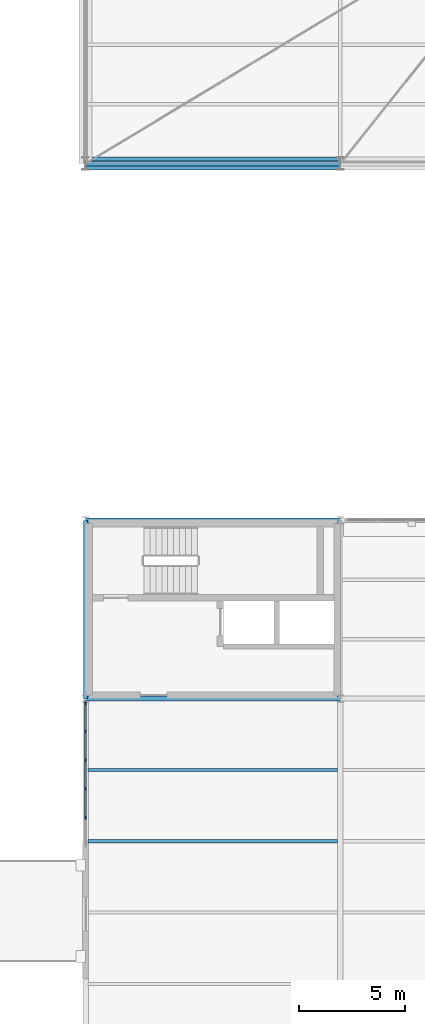
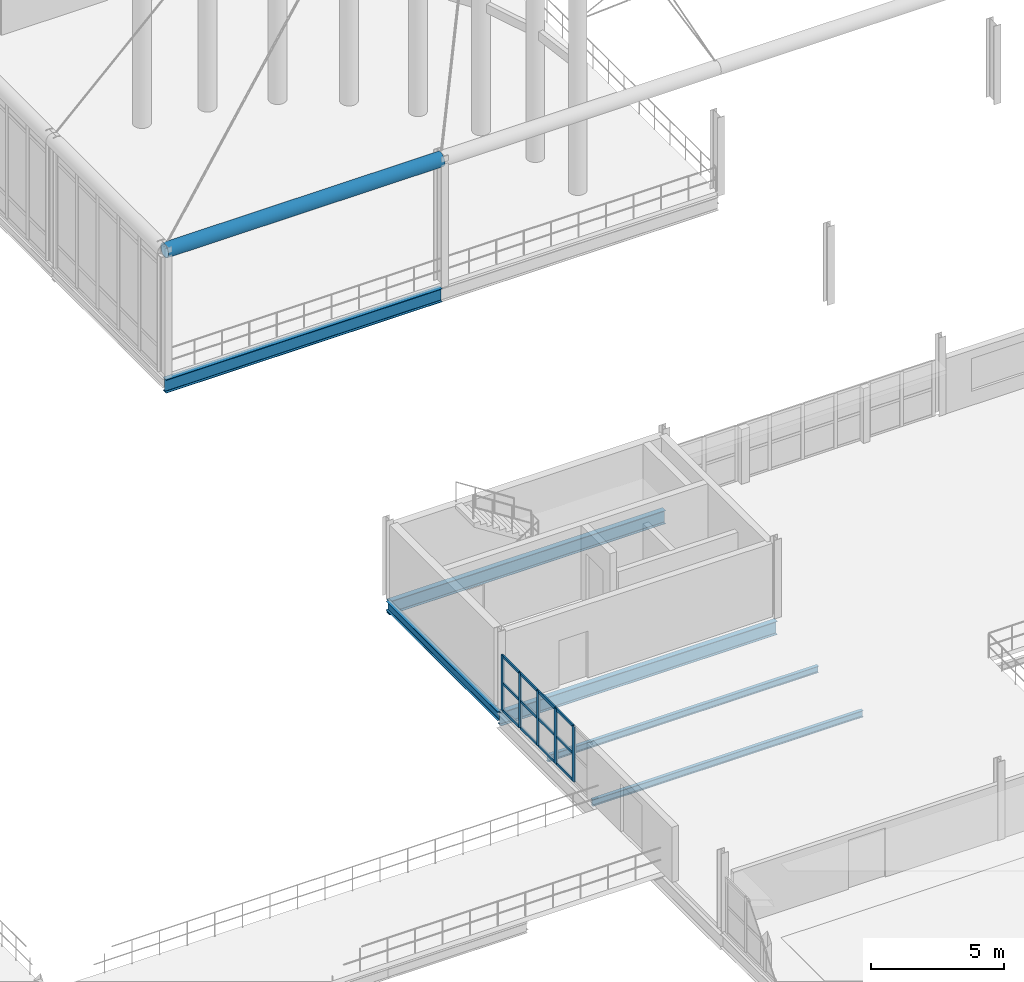
# One storey, part 34 of 101: 17 members, 7 beams, 1 element without a shape of its own.
"""IFC4 building model written with IfcOpenShell, lengths in metres."""

import ifcopenshell
import ifcopenshell.guid

model = None  # the IFC model being written
_history = None  # IfcOwnerHistory: only IFC2X3 demands one
_inside = {}  # id of a spatial element -> (the spatial element, [elements in it])
_under = {}  # id of a project, library or spatial element -> (it, [spatial elements below it])
_declared = {}  # id of a project -> (the project, [libraries it declares])
_typed = {}  # id of a type object -> (the type object, [elements of that type])
_made_of = {}  # id of a material, layer set ... -> (it, [elements and type objects made of it])


def new_model(schema):
    """Start an empty IFC model of exactly this schema.

    Asked for "IFC4X3", IfcOpenShell would pick the latest addendum, in which some entities
    have other attributes; the version numbers below select the first issue.
    IFC2X3 requires an IfcOwnerHistory on every rooted entity: one is made here for all.
    """
    global model, _history
    if schema == "IFC4X3":
        model = ifcopenshell.file(schema_version=(4, 3, 0, 0))
    else:
        model = ifcopenshell.file(schema=schema)
    _inside.clear()
    _under.clear()
    _declared.clear()
    _typed.clear()
    _made_of.clear()
    _history = None
    if model.schema == "IFC2X3":
        org = make("IfcOrganization", Name="unknown")
        user = make(
            "IfcPersonAndOrganization",
            ThePerson=make("IfcPerson", FamilyName="unknown"),
            TheOrganization=org,
        )
        app = make(
            "IfcApplication",
            ApplicationDeveloper=org,
            Version="unknown",
            ApplicationFullName="unknown",
            ApplicationIdentifier="unknown",
        )
        _history = make(
            "IfcOwnerHistory",
            OwningUser=user,
            OwningApplication=app,
            ChangeAction="ADDED",
            CreationDate=0,
        )
    return model


def make(cls, **values):
    """One entity of the class cls with the attributes given. An attribute that is None is left unset."""
    return model.create_entity(
        cls, **{name: value for name, value in values.items() if value is not None}
    )


def rooted(cls, **values):
    """An entity with a GlobalId (a new one), such as an element, a storey or a relation."""
    return make(cls, GlobalId=ifcopenshell.guid.new(), OwnerHistory=_history, **values)


def si_unit(unit_type, name, prefix=None):
    """IfcSIUnit, for example si_unit("LENGTHUNIT", "METRE", prefix="MILLI")."""
    return make("IfcSIUnit", UnitType=unit_type, Prefix=prefix, Name=name)


def assignment(units):
    """IfcUnitAssignment: the units of a project."""
    return None if units is None else make("IfcUnitAssignment", Units=units)


def point(xyz):
    """IfcCartesianPoint."""
    return None if xyz is None else make("IfcCartesianPoint", Coordinates=xyz)


def direction(xyz):
    """IfcDirection."""
    return None if xyz is None else make("IfcDirection", DirectionRatios=xyz)


def frame(location, z_axis=None, x_axis=None):
    """IfcAxis2Placement3D, a coordinate frame: its origin and axes. An axis left out is left unset."""
    return make(
        "IfcAxis2Placement3D",
        Location=point(location),
        Axis=direction(z_axis),
        RefDirection=direction(x_axis),
    )


def frame_2d(location, x_axis=None):
    """IfcAxis2Placement2D, a coordinate frame in the plane: its origin and x axis."""
    return make(
        "IfcAxis2Placement2D", Location=point(location), RefDirection=direction(x_axis)
    )


def origin():
    """The frame at (0, 0, 0) with its axes left unset."""
    return frame((0.0, 0.0, 0.0))


def origin_2d():
    """The frame at (0, 0) in the plane with its x axis left unset."""
    return frame_2d((0.0, 0.0))


def place(relative_to, where):
    """IfcLocalPlacement: puts the frame where relative to a parent placement (None: the world)."""
    return make(
        "IfcLocalPlacement", PlacementRelTo=relative_to, RelativePlacement=where
    )


def context(
    kind, dimensions, precision=None, world=None, true_north=None, identifier=None
):
    """IfcGeometricRepresentationContext, for example the 3D "Model" context."""
    return make(
        "IfcGeometricRepresentationContext",
        ContextIdentifier=identifier,
        ContextType=kind,
        CoordinateSpaceDimension=dimensions,
        Precision=precision,
        WorldCoordinateSystem=world,
        TrueNorth=true_north,
    )


def subcontext(parent, identifier, kind, view, scale=None):
    """IfcGeometricRepresentationSubContext, for example "Body" below "Model"."""
    return make(
        "IfcGeometricRepresentationSubContext",
        ContextIdentifier=identifier,
        ContextType=kind,
        ParentContext=parent,
        TargetScale=scale,
        TargetView=view,
    )


def project(units=None, contexts=None):
    """IfcProject with its units and contexts."""
    return rooted(
        "IfcProject",
        Name="project",
        RepresentationContexts=contexts,
        UnitsInContext=assignment(units),
    )


def spatial(cls, under=None, at=None, **own):
    """A site, building, storey or space (cls), placed at a placement, below another one or the project."""
    s = rooted(cls, ObjectPlacement=at, **own)
    if under is not None:
        _under.setdefault(under.id(), (under, []))[1].append(s)
    return s


def profile(cls, at=None, kind="AREA", **sizes):
    """A parametric profile (cls). Its sizes go by their IFC names, for example OverallWidth=200.0."""
    return make(cls, ProfileType=kind, Position=at, **sizes)


def rectangle(**sizes):
    """IfcRectangleProfileDef."""
    return profile("IfcRectangleProfileDef", **sizes)


def hollow_circle(**sizes):
    """IfcCircleHollowProfileDef."""
    return profile("IfcCircleHollowProfileDef", **sizes)


def i_section(**sizes):
    """IfcIShapeProfileDef."""
    return profile("IfcIShapeProfileDef", **sizes)


def extrude(swept, where, along, depth):
    """IfcExtrudedAreaSolid: the profile swept, set in the frame where, extruded along a direction by depth."""
    return make(
        "IfcExtrudedAreaSolid",
        SweptArea=swept,
        Position=where,
        ExtrudedDirection=direction(along),
        Depth=depth,
    )


def shape(context_of_items, identifier, shape_type, items):
    """IfcShapeRepresentation: the items that make up one representation, for example the "Body"."""
    return make(
        "IfcShapeRepresentation",
        ContextOfItems=context_of_items,
        RepresentationIdentifier=identifier,
        RepresentationType=shape_type,
        Items=items,
    )


def material(Name=None, Category=None):
    """IfcMaterial."""
    return make("IfcMaterial", Name=Name, Category=Category)


def layer(
    of_material, thickness, ventilated=None, Name=None, Category=None, Priority=None
):
    """IfcMaterialLayer: one layer of a wall or slab, of a material (None: an air gap)."""
    return make(
        "IfcMaterialLayer",
        Material=of_material,
        LayerThickness=thickness,
        IsVentilated=ventilated,
        Name=Name,
        Category=Category,
        Priority=Priority,
    )


def layer_set(layers, Name=None):
    """IfcMaterialLayerSet."""
    return make("IfcMaterialLayerSet", MaterialLayers=layers, LayerSetName=Name)


def material_profile(
    of_material, cross_section, Name=None, Category=None, Priority=None
):
    """IfcMaterialProfile: a cross section and its material."""
    return make(
        "IfcMaterialProfile",
        Name=Name,
        Material=of_material,
        Profile=cross_section,
        Priority=Priority,
        Category=Category,
    )


def profile_set(profiles, Name=None, composite=None):
    """IfcMaterialProfileSet."""
    return make(
        "IfcMaterialProfileSet",
        Name=Name,
        MaterialProfiles=profiles,
        CompositeProfile=composite,
    )


def made_of(thing, what):
    """Note that an element or type object is made of a material, layer set ...; save() writes the relation."""
    if what is not None:
        _made_of.setdefault(what.id(), (what, []))[1].append(thing)
    return thing


def type_object(cls, material=None, **own):
    """A type object (cls), such as IfcWallType, which elements share."""
    return made_of(rooted(cls, **own), material)


def element(
    cls,
    number,
    at=None,
    inside=None,
    cuts=None,
    type_object=None,
    material=None,
    context=None,
    identifier="Body",
    shape_type=None,
    held_by="IfcProductDefinitionShape",
    body=None,
    shapes=None,
    **own,
):
    """One element of the class cls, such as IfcWall. Its Tag is "e" and its number.

    at: its placement. inside: the storey or other place that contains it. cuts: it is an
    opening in that element (IfcRelVoidsElement). A single representation is given by context,
    identifier, shape_type and body (its items); several are given by shapes. held_by: the class
    of the entity that holds the representations. save() writes the other relations.
    """
    e = rooted(cls, Tag="e%d" % number, ObjectPlacement=at, **own)
    if body is not None:
        shapes = [shape(context, identifier, shape_type, body)]
    if shapes is not None:
        e.Representation = make(held_by, Representations=shapes)
    if inside is not None:
        _inside.setdefault(inside.id(), (inside, []))[1].append(e)
    if cuts is not None:
        rooted(
            "IfcRelVoidsElement", RelatingBuildingElement=cuts, RelatedOpeningElement=e
        )
    if type_object is not None:
        _typed.setdefault(type_object.id(), (type_object, []))[1].append(e)
    return made_of(e, material)


def aggregate(whole, parts):
    """IfcRelAggregates: a whole, such as a stair, and the parts it consists of."""
    return rooted("IfcRelAggregates", RelatingObject=whole, RelatedObjects=parts)


def save(model, path):
    """Write the relations noted so far, then the file.

    IfcRelAggregates (storeys below a building ...), IfcRelContainedInSpatialStructure (elements
    in a storey), IfcRelDefinesByType, IfcRelAssociatesMaterial and IfcRelDeclares: one each for
    every whole, place, type object, material and project.
    """
    for whole, parts in _under.values():
        aggregate(whole, parts)
    for where, things in _inside.values():
        rooted(
            "IfcRelContainedInSpatialStructure",
            RelatedElements=things,
            RelatingStructure=where,
        )
    for kind, things in _typed.values():
        rooted("IfcRelDefinesByType", RelatedObjects=things, RelatingType=kind)
    for what, things in _made_of.values():
        rooted("IfcRelAssociatesMaterial", RelatedObjects=things, RelatingMaterial=what)
    for by, libraries in _declared.values():
        rooted("IfcRelDeclares", RelatingContext=by, RelatedDefinitions=libraries)
    model.write(path)


model = new_model("IFC4")

# Units and contexts
model_context = context("Model", 3, precision=1e-05, world=origin(), true_north=direction((0.0, 1.0)))
body_context = subcontext(model_context, "Body", "Model", "MODEL_VIEW")
ifc_project = project(units=[si_unit("LENGTHUNIT", "METRE"), si_unit("AREAUNIT", "SQUARE_METRE"), si_unit("VOLUMEUNIT", "CUBIC_METRE"), si_unit("PLANEANGLEUNIT", "RADIAN"), si_unit("MASSUNIT", "GRAM", prefix="KILO"), si_unit("THERMODYNAMICTEMPERATUREUNIT", "KELVIN"), si_unit("POWERUNIT", "WATT")], contexts=[model_context])

# Site, building, storey
site_placement = place(None, origin())
site = spatial("IfcSite", under=ifc_project, at=site_placement, CompositionType="ELEMENT")
building_placement = place(site_placement, origin())
building = spatial("IfcBuilding", under=site, at=building_placement, Name="Tembeka Court Mobility Hub", CompositionType="ELEMENT")
storey_placement = place(building_placement, frame((0.0, 0.0, 5.39990234375)))
storey = spatial("IfcBuildingStorey", under=building, at=storey_placement, Name="L01", CompositionType="ELEMENT", Elevation=5.39990234375)

# Beams
ifc_material_1 = material(Name="Steel S355", Category="steel")
ifc_material_profile_1 = material_profile(ifc_material_1, i_section(OverallWidth=0.177978515625, OverallDepth=0.406005859375, WebThickness=0.0078125, FlangeThickness=0.0126953125, FilletRadius=0.01025390625, at=origin_2d()), Name="UKB 406x178x60")
ifc_profile_set_1 = profile_set([ifc_material_profile_1], Name="Steel S355")
beam_type_1 = type_object("IfcBeamType", Name="BM-B02", PredefinedType="BEAM", material=ifc_profile_set_1)
beam_1_placement = place(storey_placement, frame((116.39990234375, 38.39990234375, -0.392822265625), z_axis=(0.0, 1.0, 0.0), x_axis=(-1.0, 0.0, 0.0)))
element("IfcBeam", 1, at=beam_1_placement, inside=storey, type_object=beam_type_1, Name="Beam B02 (BM-L01-Y0875)", PredefinedType="BEAM", context=body_context, shape_type="SweptSolid", body=[
    extrude(i_section(OverallWidth=0.177978515625, OverallDepth=0.406005859375, WebThickness=0.0078125, FlangeThickness=0.0126953125, FilletRadius=0.01025390625, at=origin_2d()), origin(), (0.0, 0.0, 1.0), 8.400146484375),
])
ifc_material_profile_2 = material_profile(ifc_material_1, i_section(OverallWidth=0.22900390625, OverallDepth=0.612060546875, WebThickness=0.011962890625, FlangeThickness=0.01953125, FilletRadius=0.0126953125, at=origin_2d()), Name="UKB 610x229x125")
ifc_profile_set_2 = profile_set([ifc_material_profile_2], Name="Steel S355")
beam_type_2 = type_object("IfcBeamType", Name="BM-G02", PredefinedType="USERDEFINED", material=ifc_profile_set_2)
for number, where, z_axis, x_axis, name in (
    (2, (116.39990234375, 38.39990234375, -0.495849609375), (1.0, 0.0, 0.0), (0.0, 1.0, 0.0), "Beam G02 (BM-L01-X0660)"),
    (3, (116.39990234375, 46.800048828125, -0.495849609375), (1.0, 0.0, 0.0), (0.0, 1.0, 0.0), "Beam G02 (BM-L01-X0674)"),
    (4, (116.39990234375, 63.60009765625, -0.495849609375), (1.0, 0.0, 0.0), (0.0, 1.0, 0.0), "Beam G02 (BM-L01-X0702)"),
):
    element("IfcBeam", number, at=place(storey_placement, frame(where, z_axis=z_axis, x_axis=x_axis)), inside=storey, type_object=beam_type_2, Name=name, ObjectType="GIRDER", PredefinedType="USERDEFINED", context=body_context, shape_type="SweptSolid", body=[
        extrude(i_section(OverallWidth=0.22900390625, OverallDepth=0.612060546875, WebThickness=0.011962890625, FlangeThickness=0.01953125, FilletRadius=0.0126953125, at=origin_2d()), origin(), (0.0, 0.0, 1.0), 12.0),
    ])
ifc_material_profile_3 = material_profile(ifc_material_1, i_section(OverallWidth=0.14990234375, OverallDepth=0.300048828125, WebThickness=0.007080078125, FlangeThickness=0.0107421875, FilletRadius=0.014892578125, at=origin_2d()), Name="IPE 300")
ifc_profile_set_3 = profile_set([ifc_material_profile_3], Name="Steel S355")
beam_type_3 = type_object("IfcBeamType", Name="BM-J04", PredefinedType="JOIST", material=ifc_profile_set_3)
for number, where, z_axis, x_axis, name in (
    (5, (116.52197265625, 31.679931640625, -0.33984375), (1.0, 0.0, 0.0), (0.0, 1.0, 0.0), "Beam J04 (JST-L01-1113)"),
    (6, (116.52197265625, 35.0400390625, -0.33984375), (1.0, 0.0, 0.0), (0.0, 1.0, 0.0), "Beam J04 (JST-L01-1114)"),
):
    element("IfcBeam", number, at=place(storey_placement, frame(where, z_axis=z_axis, x_axis=x_axis)), inside=storey, type_object=beam_type_3, Name=name, PredefinedType="JOIST", context=body_context, shape_type="SweptSolid", body=[
        extrude(i_section(OverallWidth=0.14990234375, OverallDepth=0.300048828125, WebThickness=0.007080078125, FlangeThickness=0.0107421875, FilletRadius=0.014892578125, at=origin_2d()), origin(), (0.0, 0.0, 1.0), 11.756103515625),
    ])
ifc_material_profile_4 = material_profile(ifc_material_1, hollow_circle(Radius=0.304931640625, WallThickness=0.02001953125, at=origin_2d()), Name="CHS 610x20")
ifc_profile_set_4 = profile_set([ifc_material_profile_4], Name="Steel S355")
beam_type_4 = type_object("IfcBeamType", Name="BM-RB01", PredefinedType="BEAM", material=ifc_profile_set_4)
beam_2_placement = place(storey_placement, frame((116.39990234375, 63.60009765625, 5.695068359375), z_axis=(1.0, 0.0, 0.0), x_axis=(0.0, 1.0, 0.0)))
element("IfcBeam", 7, at=beam_2_placement, inside=storey, type_object=beam_type_4, Name="Concourse inner chord ring beam RB01-CH08", PredefinedType="BEAM", context=body_context, shape_type="SweptSolid", body=[
    extrude(hollow_circle(Radius=0.304931640625, WallThickness=0.02001953125, at=origin_2d()), origin(), (0.0, 0.0, 1.0), 12.0),
])

# Curtain wall, members
ifc_material_2 = material(Name="Anodised aluminium 6063-T6", Category="aluminium")
ifc_layer = layer(ifc_material_2, 0.159912109375)
ifc_layer_set = layer_set([ifc_layer], Name="Anodised aluminium 6063-T6")
curtain_wall_type = type_object("IfcCurtainWallType", Name="CW-SYS36", PredefinedType="USERDEFINED", material=ifc_layer_set)
curtain_wall_placement = place(storey_placement, origin())
curtain_wall = element("IfcCurtainWall", 8, at=curtain_wall_placement, inside=storey, type_object=curtain_wall_type, Name="Unitised curtain wall CW36 (CW-L01-104)", ObjectType="UNITISED GLAZING", PredefinedType="USERDEFINED")
ifc_material_profile_5 = material_profile(ifc_material_2, rectangle(XDim=0.06494140625, YDim=0.159912109375, at=origin_2d()), Name="ALU-MUL 65x160")
ifc_profile_set_5 = profile_set([ifc_material_profile_5], Name="Anodised aluminium 6063-T6")
member_type_1 = type_object("IfcMemberType", Name="CW-MUL01", PredefinedType="MULLION", material=ifc_profile_set_5)
member_1_placement = place(storey_placement, frame((116.39990234375, 32.80810546875, 0.0), z_axis=(0.0, 0.0, 1.0), x_axis=(-1.0, 0.0, 0.0)))
member_1 = element("IfcMember", 9, at=member_1_placement, type_object=member_type_1, Name="CW36 mullion 2", PredefinedType="MULLION", context=body_context, shape_type="SweptSolid", body=[
    extrude(rectangle(XDim=0.06494140625, YDim=0.159912109375, at=origin_2d()), origin(), (0.0, 0.0, 1.0), 2.53515625),
])
member_2_placement = place(storey_placement, frame((116.39990234375, 34.156005859375, 0.0), z_axis=(0.0, 0.0, 1.0), x_axis=(-1.0, 0.0, 0.0)))
member_2 = element("IfcMember", 10, at=member_2_placement, type_object=member_type_1, Name="CW36 mullion 3", PredefinedType="MULLION", context=body_context, shape_type="SweptSolid", body=[
    extrude(rectangle(XDim=0.06494140625, YDim=0.159912109375, at=origin_2d()), origin(), (0.0, 0.0, 1.0), 2.53515625),
])
member_3_placement = place(storey_placement, frame((116.39990234375, 35.50390625, 0.0), z_axis=(0.0, 0.0, 1.0), x_axis=(-1.0, 0.0, 0.0)))
member_3 = element("IfcMember", 11, at=member_3_placement, type_object=member_type_1, Name="CW36 mullion 4", PredefinedType="MULLION", context=body_context, shape_type="SweptSolid", body=[
    extrude(rectangle(XDim=0.06494140625, YDim=0.159912109375, at=origin_2d()), origin(), (0.0, 0.0, 1.0), 2.53515625),
])
member_4_placement = place(storey_placement, frame((116.39990234375, 36.85205078125, 0.0), z_axis=(0.0, 0.0, 1.0), x_axis=(-1.0, 0.0, 0.0)))
member_4 = element("IfcMember", 12, at=member_4_placement, type_object=member_type_1, Name="CW36 mullion 5", PredefinedType="MULLION", context=body_context, shape_type="SweptSolid", body=[
    extrude(rectangle(XDim=0.06494140625, YDim=0.159912109375, at=origin_2d()), origin(), (0.0, 0.0, 1.0), 2.53515625),
])
member_5_placement = place(storey_placement, frame((116.39990234375, 38.16748046875, 0.0), z_axis=(0.0, 0.0, 1.0), x_axis=(-1.0, 0.0, 0.0)))
member_5 = element("IfcMember", 13, at=member_5_placement, type_object=member_type_1, Name="CW36 mullion 6", PredefinedType="MULLION", context=body_context, shape_type="SweptSolid", body=[
    extrude(rectangle(XDim=0.06494140625, YDim=0.159912109375, at=origin_2d()), origin(), (0.0, 0.0, 1.0), 2.53515625),
])
ifc_material_profile_6 = material_profile(ifc_material_2, rectangle(XDim=0.06494140625, YDim=0.1201171875, at=origin_2d()), Name="ALU-TRN 65x120")
ifc_profile_set_6 = profile_set([ifc_material_profile_6], Name="Anodised aluminium 6063-T6")
member_type_2 = type_object("IfcMemberType", Name="CW-TRN01", PredefinedType="USERDEFINED", material=ifc_profile_set_6)
member_6_placement = place(storey_placement, frame((116.39990234375, 32.840576171875, 0.03271484375), z_axis=(0.0, 1.0, 0.0), x_axis=(-1.0, 0.0, 0.0)))
member_6 = element("IfcMember", 14, at=member_6_placement, type_object=member_type_2, Name="CW36 transom 2.1", ObjectType="TRANSOM", PredefinedType="USERDEFINED", context=body_context, shape_type="SweptSolid", body=[
    extrude(rectangle(XDim=0.06494140625, YDim=0.1201171875, at=origin_2d()), origin(), (0.0, 0.0, 1.0), 1.282958984375),
])
member_7_placement = place(storey_placement, frame((116.39990234375, 32.840576171875, 1.267578125), z_axis=(0.0, 1.0, 0.0), x_axis=(-1.0, 0.0, 0.0)))
member_7 = element("IfcMember", 15, at=member_7_placement, type_object=member_type_2, Name="CW36 transom 2.2", ObjectType="TRANSOM", PredefinedType="USERDEFINED", context=body_context, shape_type="SweptSolid", body=[
    extrude(rectangle(XDim=0.06494140625, YDim=0.1201171875, at=origin_2d()), origin(), (0.0, 0.0, 1.0), 1.282958984375),
])
member_8_placement = place(storey_placement, frame((116.39990234375, 32.840576171875, 2.502685546875), z_axis=(0.0, 1.0, 0.0), x_axis=(-1.0, 0.0, 0.0)))
member_8 = element("IfcMember", 16, at=member_8_placement, type_object=member_type_2, Name="CW36 transom 2.3", ObjectType="TRANSOM", PredefinedType="USERDEFINED", context=body_context, shape_type="SweptSolid", body=[
    extrude(rectangle(XDim=0.06494140625, YDim=0.1201171875, at=origin_2d()), origin(), (0.0, 0.0, 1.0), 1.282958984375),
])
member_9_placement = place(storey_placement, frame((116.39990234375, 34.1884765625, 0.03271484375), z_axis=(0.0, 1.0, 0.0), x_axis=(-1.0, 0.0, 0.0)))
member_9 = element("IfcMember", 17, at=member_9_placement, type_object=member_type_2, Name="CW36 transom 3.1", ObjectType="TRANSOM", PredefinedType="USERDEFINED", context=body_context, shape_type="SweptSolid", body=[
    extrude(rectangle(XDim=0.06494140625, YDim=0.1201171875, at=origin_2d()), origin(), (0.0, 0.0, 1.0), 1.282958984375),
])
member_10_placement = place(storey_placement, frame((116.39990234375, 34.1884765625, 1.267578125), z_axis=(0.0, 1.0, 0.0), x_axis=(-1.0, 0.0, 0.0)))
member_10 = element("IfcMember", 18, at=member_10_placement, type_object=member_type_2, Name="CW36 transom 3.2", ObjectType="TRANSOM", PredefinedType="USERDEFINED", context=body_context, shape_type="SweptSolid", body=[
    extrude(rectangle(XDim=0.06494140625, YDim=0.1201171875, at=origin_2d()), origin(), (0.0, 0.0, 1.0), 1.282958984375),
])
member_11_placement = place(storey_placement, frame((116.39990234375, 34.1884765625, 2.502685546875), z_axis=(0.0, 1.0, 0.0), x_axis=(-1.0, 0.0, 0.0)))
member_11 = element("IfcMember", 19, at=member_11_placement, type_object=member_type_2, Name="CW36 transom 3.3", ObjectType="TRANSOM", PredefinedType="USERDEFINED", context=body_context, shape_type="SweptSolid", body=[
    extrude(rectangle(XDim=0.06494140625, YDim=0.1201171875, at=origin_2d()), origin(), (0.0, 0.0, 1.0), 1.282958984375),
])
member_12_placement = place(storey_placement, frame((116.39990234375, 35.53662109375, 0.03271484375), z_axis=(0.0, 1.0, 0.0), x_axis=(-1.0, 0.0, 0.0)))
member_12 = element("IfcMember", 20, at=member_12_placement, type_object=member_type_2, Name="CW36 transom 4.1", ObjectType="TRANSOM", PredefinedType="USERDEFINED", context=body_context, shape_type="SweptSolid", body=[
    extrude(rectangle(XDim=0.06494140625, YDim=0.1201171875, at=origin_2d()), origin(), (0.0, 0.0, 1.0), 1.282958984375),
])
member_13_placement = place(storey_placement, frame((116.39990234375, 35.53662109375, 1.267578125), z_axis=(0.0, 1.0, 0.0), x_axis=(-1.0, 0.0, 0.0)))
member_13 = element("IfcMember", 21, at=member_13_placement, type_object=member_type_2, Name="CW36 transom 4.2", ObjectType="TRANSOM", PredefinedType="USERDEFINED", context=body_context, shape_type="SweptSolid", body=[
    extrude(rectangle(XDim=0.06494140625, YDim=0.1201171875, at=origin_2d()), origin(), (0.0, 0.0, 1.0), 1.282958984375),
])
member_14_placement = place(storey_placement, frame((116.39990234375, 35.53662109375, 2.502685546875), z_axis=(0.0, 1.0, 0.0), x_axis=(-1.0, 0.0, 0.0)))
member_14 = element("IfcMember", 22, at=member_14_placement, type_object=member_type_2, Name="CW36 transom 4.3", ObjectType="TRANSOM", PredefinedType="USERDEFINED", context=body_context, shape_type="SweptSolid", body=[
    extrude(rectangle(XDim=0.06494140625, YDim=0.1201171875, at=origin_2d()), origin(), (0.0, 0.0, 1.0), 1.282958984375),
])
member_15_placement = place(storey_placement, frame((116.39990234375, 36.884521484375, 0.03271484375), z_axis=(0.0, 1.0, 0.0), x_axis=(-1.0, 0.0, 0.0)))
member_15 = element("IfcMember", 23, at=member_15_placement, type_object=member_type_2, Name="CW36 transom 5.1", ObjectType="TRANSOM", PredefinedType="USERDEFINED", context=body_context, shape_type="SweptSolid", body=[
    extrude(rectangle(XDim=0.06494140625, YDim=0.1201171875, at=origin_2d()), origin(), (0.0, 0.0, 1.0), 1.25048828125),
])
member_16_placement = place(storey_placement, frame((116.39990234375, 36.884521484375, 1.267578125), z_axis=(0.0, 1.0, 0.0), x_axis=(-1.0, 0.0, 0.0)))
member_16 = element("IfcMember", 24, at=member_16_placement, type_object=member_type_2, Name="CW36 transom 5.2", ObjectType="TRANSOM", PredefinedType="USERDEFINED", context=body_context, shape_type="SweptSolid", body=[
    extrude(rectangle(XDim=0.06494140625, YDim=0.1201171875, at=origin_2d()), origin(), (0.0, 0.0, 1.0), 1.25048828125),
])
member_17_placement = place(storey_placement, frame((116.39990234375, 36.884521484375, 2.502685546875), z_axis=(0.0, 1.0, 0.0), x_axis=(-1.0, 0.0, 0.0)))
member_17 = element("IfcMember", 25, at=member_17_placement, type_object=member_type_2, Name="CW36 transom 5.3", ObjectType="TRANSOM", PredefinedType="USERDEFINED", context=body_context, shape_type="SweptSolid", body=[
    extrude(rectangle(XDim=0.06494140625, YDim=0.1201171875, at=origin_2d()), origin(), (0.0, 0.0, 1.0), 1.25048828125),
])
aggregate(curtain_wall, [member_1, member_2, member_3, member_4, member_5, member_6, member_7, member_8, member_9, member_10, member_11, member_12, member_13, member_14, member_15, member_16, member_17])

save(model, "model.ifc")
